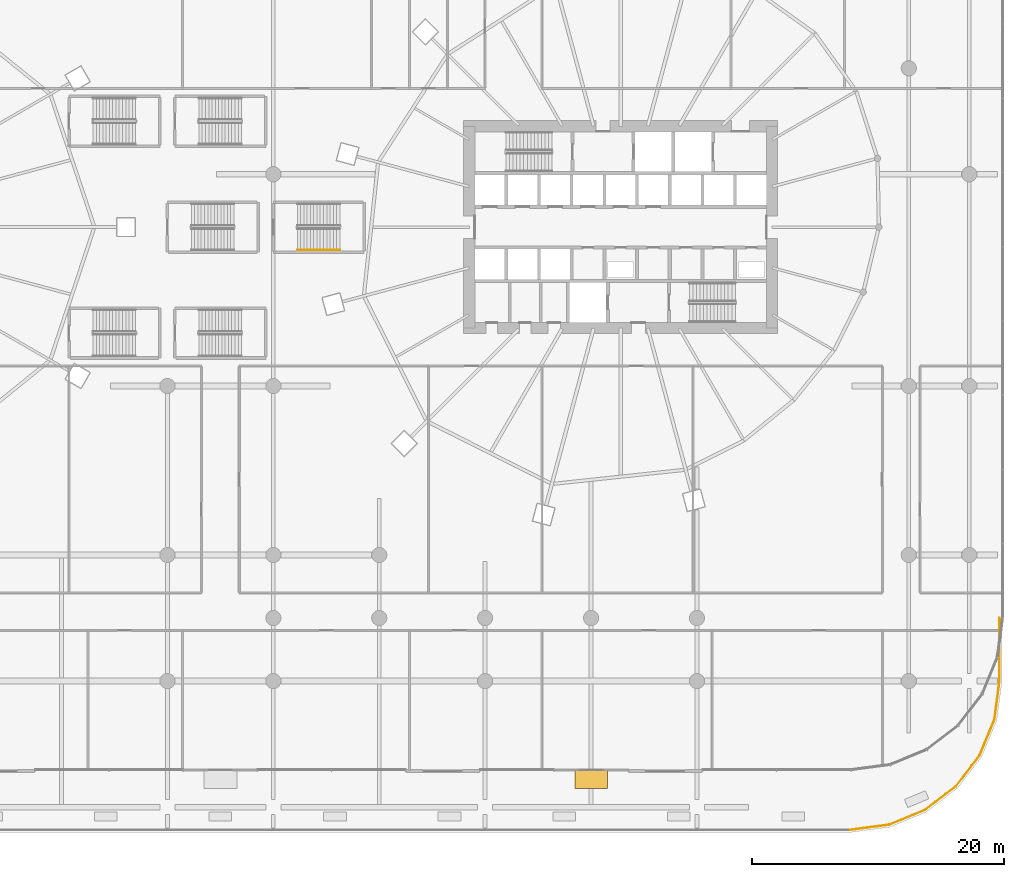
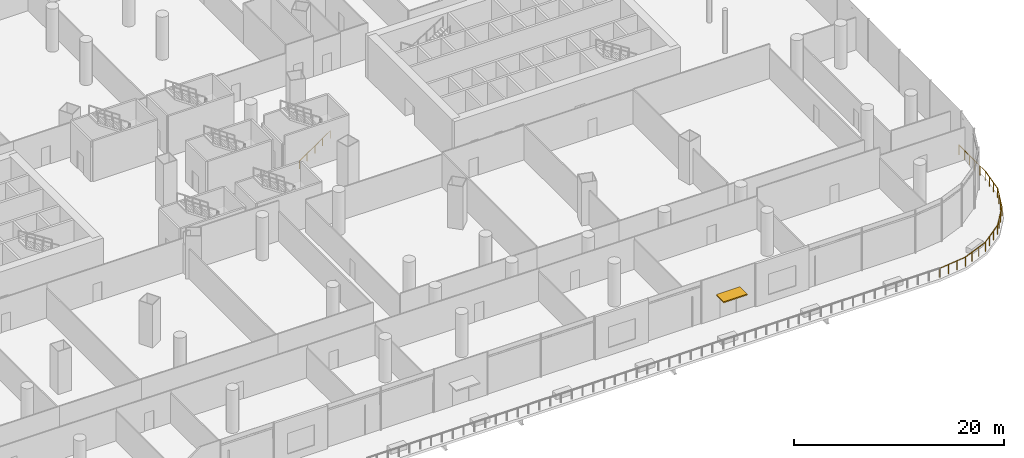
# One storey, part 47 of 51: 2 railings, 1 shading device.
"""IFC4 building model written with IfcOpenShell, lengths in metres."""

from ifc_helpers import new_model, si_unit, direction, frame, origin, origin_2d, place, context, subcontext, project, spatial, rectangle, circle, extrude, material, layer, layer_set, type_object, element, save


model = new_model("IFC4")

# Units and contexts
model_context = context("Model", 3, precision=1e-05, world=origin(), true_north=direction((0.0, 1.0)))
body_context = subcontext(model_context, "Body", "Model", "MODEL_VIEW")
ifc_project = project(units=[si_unit("LENGTHUNIT", "METRE"), si_unit("AREAUNIT", "SQUARE_METRE"), si_unit("VOLUMEUNIT", "CUBIC_METRE"), si_unit("PLANEANGLEUNIT", "RADIAN"), si_unit("MASSUNIT", "GRAM", prefix="KILO")], contexts=[model_context])

# Site, building, storey
site_placement = place(None, origin())
site = spatial("IfcSite", under=ifc_project, at=site_placement, CompositionType="ELEMENT")
building_placement = place(site_placement, origin())
building = spatial("IfcBuilding", under=site, at=building_placement, Name="Rimbun Link Towers", CompositionType="ELEMENT")
storey_placement = place(building_placement, frame((0.0, 0.0, 7.0)))
storey = spatial("IfcBuildingStorey", under=building, at=storey_placement, Name="L01", CompositionType="ELEMENT", Elevation=7.0)

# Railing
ifc_material_1 = material(Name="Toughened laminated glass, stainless steel grade 316 posts and cap rail", Category="steel")
railing_type_1 = type_object("IfcRailingType", Name="GUARD glass balustrade with stainless cap rail", PredefinedType="BALUSTRADE", material=ifc_material_1)
railing_1_placement = place(storey_placement, frame((49.98681640625, -47.800048828125, 0.0)))
element("IfcRailing", 1, at=railing_1_placement, inside=storey, type_object=railing_type_1, Name="GUARD glass balustrade", PredefinedType="BALUSTRADE", context=body_context, shape_type="SweptSolid", body=[
    extrude(circle(Radius=0.02392578125, at=origin_2d()), frame((0.0, 0.0, 1.076171875), z_axis=(0.991443009305, 0.130540259305, 0.0), x_axis=(-0.130540259305, 0.991443009305, 0.0)), (0.0, 0.0, 1.0), 3.09326171875),
    extrude(circle(Radius=0.02392578125, at=origin_2d()), frame((3.06689453125, 0.40380859375, 1.076171875), z_axis=(0.92386997747, 0.382706499462, 0.0), x_axis=(-0.382706499462, 0.92386997747, 0.0)), (0.0, 0.0, 1.0), 3.079833984375),
    extrude(circle(Radius=0.02392578125, at=origin_2d()), frame((5.912353515625, 1.58251953125, 1.076171875), z_axis=(0.793398353015, 0.608702762794, 0.0), x_axis=(-0.608702762794, 0.793398353015, 0.0)), (0.0, 0.0, 1.0), 3.079833984375),
    extrude(circle(Radius=0.02392578125, at=origin_2d()), frame((8.35595703125, 3.457275390625, 1.076171875), z_axis=(0.608702762794, 0.793398353015, 0.0), x_axis=(-0.793398353015, 0.608702762794, 0.0)), (0.0, 0.0, 1.0), 3.079833984375),
    extrude(circle(Radius=0.02392578125, at=origin_2d()), frame((10.230712890625, 5.90087890625, 1.076171875), z_axis=(0.382706499462, 0.92386997747, 0.0), x_axis=(-0.92386997747, 0.382706499462, 0.0)), (0.0, 0.0, 1.0), 3.079833984375),
    extrude(circle(Radius=0.02392578125, at=origin_2d()), frame((11.409423828125, 8.746337890625, 1.076171875), z_axis=(0.130540259305, 0.991443009305, 0.0), x_axis=(-0.991443009305, 0.130540259305, 0.0)), (0.0, 0.0, 1.0), 3.09326171875),
    extrude(circle(Radius=0.02392578125, at=origin_2d()), frame((11.813232421875, 11.813232421875, 1.076171875), z_axis=(0.0, 1.0, 0.0), x_axis=(-1.0, 0.0, 0.0)), (0.0, 0.0, 1.0), 4.98681640625),
    extrude(circle(Radius=0.02099609375, at=origin_2d()), origin(), (0.0, 0.0, 1.0), 1.052001953125),
    extrude(circle(Radius=0.02099609375, at=origin_2d()), frame((1.022216796875, 0.134521484375, 0.0)), (0.0, 0.0, 1.0), 1.052001953125),
    extrude(circle(Radius=0.02099609375, at=origin_2d()), frame((2.044677734375, 0.269287109375, 0.0)), (0.0, 0.0, 1.0), 1.052001953125),
    extrude(circle(Radius=0.02099609375, at=origin_2d()), frame((3.06689453125, 0.40380859375, 0.0)), (0.0, 0.0, 1.0), 1.052001953125),
    extrude(circle(Radius=0.02099609375, at=origin_2d()), frame((4.015380859375, 0.796630859375, 0.0)), (0.0, 0.0, 1.0), 1.052001953125),
    extrude(circle(Radius=0.02099609375, at=origin_2d()), frame((4.9638671875, 1.189697265625, 0.0)), (0.0, 0.0, 1.0), 1.052001953125),
    extrude(circle(Radius=0.02099609375, at=origin_2d()), frame((5.912353515625, 1.58251953125, 0.0)), (0.0, 0.0, 1.0), 1.052001953125),
    extrude(circle(Radius=0.02099609375, at=origin_2d()), frame((6.726806640625, 2.20751953125, 0.0)), (0.0, 0.0, 1.0), 1.052001953125),
    extrude(circle(Radius=0.02099609375, at=origin_2d()), frame((7.54150390625, 2.832275390625, 0.0)), (0.0, 0.0, 1.0), 1.052001953125),
    extrude(circle(Radius=0.02099609375, at=origin_2d()), frame((8.35595703125, 3.457275390625, 0.0)), (0.0, 0.0, 1.0), 1.052001953125),
    extrude(circle(Radius=0.02099609375, at=origin_2d()), frame((8.98095703125, 4.271728515625, 0.0)), (0.0, 0.0, 1.0), 1.052001953125),
    extrude(circle(Radius=0.02099609375, at=origin_2d()), frame((9.605712890625, 5.08642578125, 0.0)), (0.0, 0.0, 1.0), 1.052001953125),
    extrude(circle(Radius=0.02099609375, at=origin_2d()), frame((10.230712890625, 5.90087890625, 0.0)), (0.0, 0.0, 1.0), 1.052001953125),
    extrude(circle(Radius=0.02099609375, at=origin_2d()), frame((10.62353515625, 6.849365234375, 0.0)), (0.0, 0.0, 1.0), 1.052001953125),
    extrude(circle(Radius=0.02099609375, at=origin_2d()), frame((11.0166015625, 7.7978515625, 0.0)), (0.0, 0.0, 1.0), 1.052001953125),
    extrude(circle(Radius=0.02099609375, at=origin_2d()), frame((11.409423828125, 8.746337890625, 0.0)), (0.0, 0.0, 1.0), 1.052001953125),
    extrude(circle(Radius=0.02099609375, at=origin_2d()), frame((11.5439453125, 9.7685546875, 0.0)), (0.0, 0.0, 1.0), 1.052001953125),
    extrude(circle(Radius=0.02099609375, at=origin_2d()), frame((11.6787109375, 10.791015625, 0.0)), (0.0, 0.0, 1.0), 1.052001953125),
    extrude(circle(Radius=0.02099609375, at=origin_2d()), frame((11.813232421875, 11.813232421875, 0.0)), (0.0, 0.0, 1.0), 1.052001953125),
    extrude(circle(Radius=0.02099609375, at=origin_2d()), frame((11.813232421875, 12.810546875, 0.0)), (0.0, 0.0, 1.0), 1.052001953125),
    extrude(circle(Radius=0.02099609375, at=origin_2d()), frame((11.813232421875, 13.807861328125, 0.0)), (0.0, 0.0, 1.0), 1.052001953125),
    extrude(circle(Radius=0.02099609375, at=origin_2d()), frame((11.813232421875, 14.805419921875, 0.0)), (0.0, 0.0, 1.0), 1.052001953125),
    extrude(circle(Radius=0.02099609375, at=origin_2d()), frame((11.813232421875, 15.802734375, 0.0)), (0.0, 0.0, 1.0), 1.052001953125),
    extrude(circle(Radius=0.02099609375, at=origin_2d()), frame((11.813232421875, 16.800048828125, 0.0)), (0.0, 0.0, 1.0), 1.052001953125),
])

# Shading device
ifc_material_2 = material(Name="Aluminium 6063-T6 louvre blades in a powder-coated aluminium frame", Category="aluminium")
ifc_layer = layer(ifc_material_2, 0.139892578125)
ifc_layer_set = layer_set([ifc_layer], Name="RAIN CANOPY louvre blades 2600X1400")
shading_device_type = type_object("IfcShadingDeviceType", Name="RAIN CANOPY louvre blades 2600X1400", PredefinedType="AWNING", material=ifc_layer_set)
shading_device_placement = place(storey_placement, frame((29.411865234375, -43.800048828125, 2.7001953125), z_axis=(0.0, 0.0, 1.0), x_axis=(-1.0, 0.0, 0.0)))
element("IfcShadingDevice", 2, at=shading_device_placement, inside=storey, type_object=shading_device_type, Name="RAIN CANOPY over terrace door", PredefinedType="AWNING", context=body_context, shape_type="SweptSolid", body=[
    extrude(rectangle(XDim=2.60009765625, YDim=1.39990234375, at=origin_2d()), origin(), (0.0, 0.0, 1.0), 0.139892578125),
])

# Railing
ifc_material_3 = material(Name="Stainless steel grade 316", Category="steel")
railing_type_2 = type_object("IfcRailingType", Name="Stair handrail", PredefinedType="HANDRAIL", material=ifc_material_3)
railing_2_placement = place(storey_placement, frame((6.10009765625, -1.824951171875, 0.178466796875)))
element("IfcRailing", 3, at=railing_2_placement, inside=storey, type_object=railing_type_2, Name="L01 PS5 stair handrail 1", PredefinedType="HANDRAIL", context=body_context, shape_type="SweptSolid", body=[
    extrude(circle(Radius=0.02392578125, at=origin_2d()), frame((0.0, 0.0, 0.8759765625), z_axis=(0.824285065979, 0.0, 0.566174999451), x_axis=(0.0, 1.0, 0.0)), (0.0, 0.0, 1.0), 4.100341796875),
    extrude(circle(Radius=0.02099609375, at=origin_2d()), origin(), (0.0, 0.0, 1.0), 0.851806640625),
    extrude(circle(Radius=0.02099609375, at=origin_2d()), frame((0.844970703125, 0.0, 0.580322265625)), (0.0, 0.0, 1.0), 0.851806640625),
    extrude(circle(Radius=0.02099609375, at=origin_2d()), frame((1.68994140625, 0.0, 1.16064453125)), (0.0, 0.0, 1.0), 0.851806640625),
    extrude(circle(Radius=0.02099609375, at=origin_2d()), frame((2.534912109375, 0.0, 1.7412109375)), (0.0, 0.0, 1.0), 0.851806640625),
    extrude(circle(Radius=0.02099609375, at=origin_2d()), frame((3.3798828125, 0.0, 2.321533203125)), (0.0, 0.0, 1.0), 0.851806640625),
])

save(model, "model.ifc")
